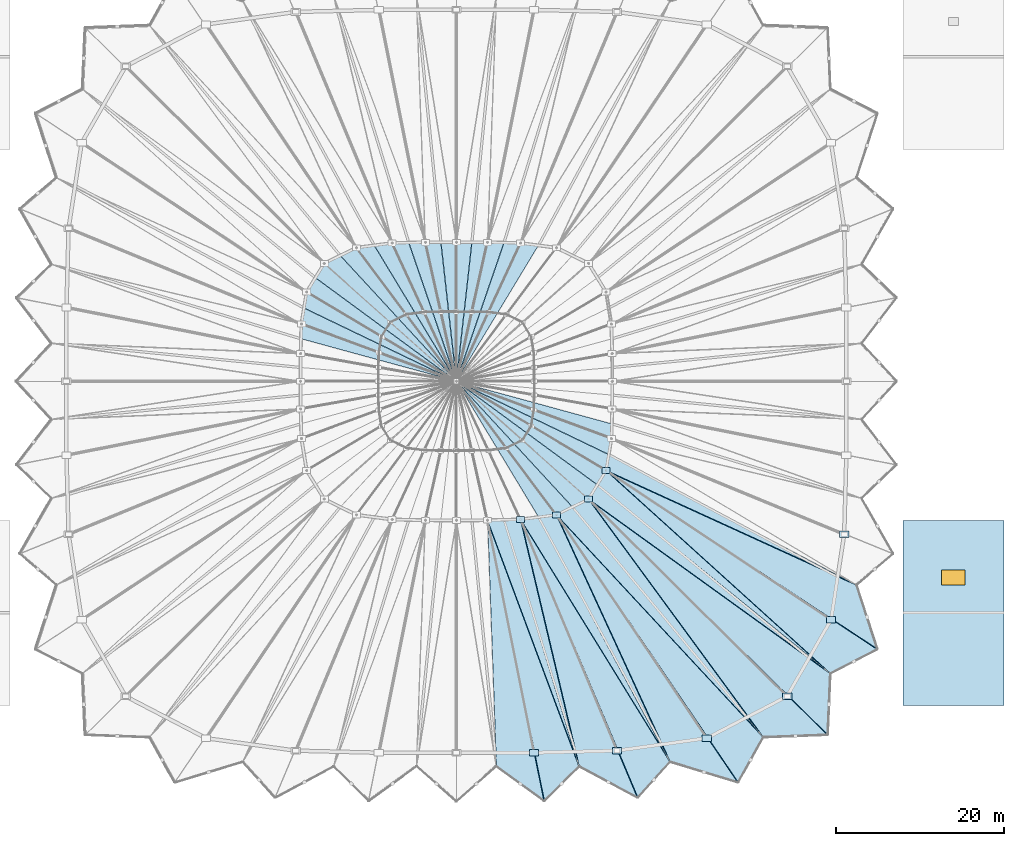
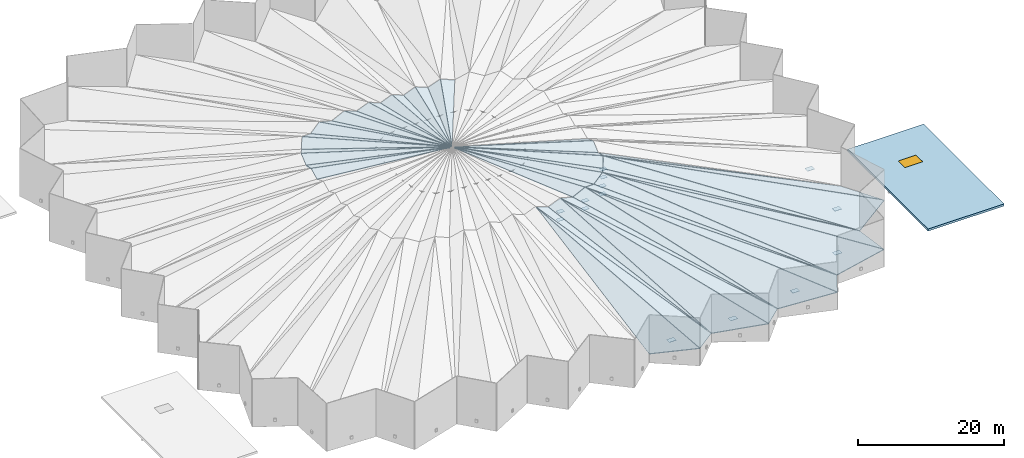
# One storey, part 30 of 41: 46 slabs, 14 plates, 1 window, 1 opening.
"""IFC4 building model written with IfcOpenShell, lengths in metres."""

from ifc_helpers import new_model, si_unit, direction, frame, origin, origin_2d, place, context, subcontext, project, spatial, polyline, rectangle, outline, extrude, material, layer, layer_set, type_object, element, fill, save


model = new_model("IFC4")

# Units and contexts
model_context = context("Model", 3, precision=1e-05, world=origin(), true_north=direction((0.0, 1.0)))
body_context = subcontext(model_context, "Body", "Model", "MODEL_VIEW")
ifc_project = project(units=[si_unit("LENGTHUNIT", "METRE"), si_unit("AREAUNIT", "SQUARE_METRE"), si_unit("VOLUMEUNIT", "CUBIC_METRE"), si_unit("PLANEANGLEUNIT", "RADIAN"), si_unit("MASSUNIT", "GRAM", prefix="KILO")], contexts=[model_context])

# Site, building, storey
site_placement = place(None, origin())
site = spatial("IfcSite", under=ifc_project, at=site_placement, CompositionType="ELEMENT")
building_placement = place(site_placement, origin())
building = spatial("IfcBuilding", under=site, at=building_placement, Name="Luwafu Chhajja Arena", CompositionType="ELEMENT")
storey_placement = place(building_placement, frame((0.0, 0.0, 29.699951171875)))
storey = spatial("IfcBuildingStorey", under=building, at=storey_placement, Name="RF", CompositionType="ELEMENT", Elevation=29.699951171875)

# Slabs
ifc_material_1 = material(Name="Precast concrete C40/50", Category="concrete")
ifc_layer_1 = layer(ifc_material_1, 0.14990234375, Name="Precast concrete C40/50")
ifc_layer_set_1 = layer_set([ifc_layer_1], Name="Precast concrete C40/50")
slab_type_1 = type_object("IfcSlabType", Name="Cable-Net Oculus Lightweight Roof Deck 150", PredefinedType="ROOF", material=ifc_layer_set_1)
slab_1_placement = place(storey_placement, frame((108.7216796875, 65.615478515625, 6.907470703125), z_axis=(0.322770200464, -0.075715794519, 0.943443965561), x_axis=(-0.514216053582, -0.850879739253, 0.107636051431)))
element("IfcSlab", 1, at=slab_1_placement, inside=storey, type_object=slab_type_1, Name="Cable-Net Oculus Roof Panel 06OB", PredefinedType="ROOF", context=body_context, shape_type="SweptSolid", body=[
    extrude(outline(polyline([(0.0, 0.0), (18.65371753526713, -6.661338147750939e-16), (0.9241918560442257, -2.037181419984506), (0.0, 0.0)])), origin(), (0.0, 0.0, -1.0), 0.14990234375),
])
slab_2_placement = place(storey_placement, frame((106.59521484375, 65.889892578125, 7.64501953125), z_axis=(-0.341597065853, 0.230294133254, 0.911194851165), x_axis=(-0.420134075553, -0.90466916484, 0.071141132593)))
element("IfcSlab", 2, at=slab_2_placement, inside=storey, type_object=slab_type_1, Name="Cable-Net Oculus Roof Panel 07OA", PredefinedType="ROOF", context=body_context, shape_type="SweptSolid", body=[
    extrude(outline(polyline([(0.0, 0.0), (17.821226896768845, -6.661338147750939e-16), (0.7202170115807652, -1.942640094566498), (0.0, 0.0)])), origin(), (0.0, 0.0, -1.0), 0.14990234375),
])
slab_3_placement = place(storey_placement, frame((104.6279296875, 65.935546875, 6.907958984375), z_axis=(0.35560875136, -0.006204393023, 0.934614316958), x_axis=(-0.322564030961, -0.939351485557, 0.116495633017)))
element("IfcSlab", 3, at=slab_3_placement, inside=storey, type_object=slab_type_1, Name="Cable-Net Oculus Roof Panel 07OB", PredefinedType="ROOF", context=body_context, shape_type="SweptSolid", body=[
    extrude(outline(polyline([(0.0, 0.0), (17.220418170770536, 6.661338147750939e-16), (0.6687349881593382, -1.9622492747723759), (0.0, 0.0)])), origin(), (0.0, 0.0, -1.0), 0.14990234375),
])
slab_4_placement = place(storey_placement, frame((102.66015625, 65.980712890625, 7.64501953125), z_axis=(-0.372907090144, 0.154707406568, 0.914880276579), x_axis=(-0.217049528514, -0.973189923, 0.076097805114)))
element("IfcSlab", 4, at=slab_4_placement, inside=storey, type_object=slab_type_1, Name="Cable-Net Oculus Roof Panel 08OA", PredefinedType="ROOF", context=body_context, shape_type="SweptSolid", body=[
    extrude(outline(polyline([(0.0, 0.0), (16.65401495454123, 3.3306690738754696e-16), (0.33406242105565936, -1.923086765370859), (0.0, 0.0)])), origin(), (0.0, 0.0, -1.0), 0.14990234375),
])
slab_5_placement = place(storey_placement, frame((100.822509765625, 65.98291015625, 6.907958984375), z_axis=(0.376767997162, 0.072191778105, 0.923490240061), x_axis=(-0.109978580481, -0.986420525744, 0.121980564953)))
element("IfcSlab", 5, at=slab_5_placement, inside=storey, type_object=slab_type_1, Name="Cable-Net Oculus Roof Panel 08OB", PredefinedType="ROOF", context=body_context, shape_type="SweptSolid", body=[
    extrude(outline(polyline([(0.0, 0.0), (16.436084004610596, -1.1102230246251565e-16), (0.2865685867458694, -1.9310570607368354), (0.0, 0.0)])), origin(), (0.0, 0.0, -1.0), 0.14990234375),
])
slab_6_placement = place(storey_placement, frame((98.985107421875, 65.985107421875, 7.645263671875), z_axis=(-0.376767997162, 0.072191778105, 0.923490240061), x_axis=(0.0, -0.996958443126, 0.077934990089)))
element("IfcSlab", 6, at=slab_6_placement, inside=storey, type_object=slab_type_1, Name="Cable-Net Oculus Roof Panel 09OA", PredefinedType="ROOF", context=body_context, shape_type="SweptSolid", body=[
    extrude(outline(polyline([(0.0, 0.0), (16.26455746719449, -5.551115123125783e-17), (-0.05527125099589944, -1.951422049569098), (0.0, 0.0)])), origin(), (0.0, 0.0, -1.0), 0.14990234375),
])
slab_7_placement = place(storey_placement, frame((97.147216796875, 65.98291015625, 6.907958984375), z_axis=(0.372907090144, 0.154707406568, 0.914880276579), x_axis=(0.109985254656, -0.986420502889, 0.121974731964)))
element("IfcSlab", 7, at=slab_7_placement, inside=storey, type_object=slab_type_1, Name="Cable-Net Oculus Roof Panel 09OB", PredefinedType="ROOF", context=body_context, shape_type="SweptSolid", body=[
    extrude(outline(polyline([(0.0, 0.0), (16.432866864986362, 0.0), (-0.10671419431027769, -1.9489670312857605), (0.0, 0.0)])), origin(), (0.0, 0.0, -1.0), 0.14990234375),
])
slab_8_placement = place(storey_placement, frame((95.30908203125, 65.980224609375, 7.645263671875), z_axis=(-0.35560875136, -0.006204393023, 0.934614316958), x_axis=(0.21704849036, -0.973188129268, 0.076123701201)))
element("IfcSlab", 8, at=slab_8_placement, inside=storey, type_object=slab_type_1, Name="Cable-Net Oculus Roof Panel 10OA", PredefinedType="ROOF", context=body_context, shape_type="SweptSolid", body=[
    extrude(outline(polyline([(0.0, 0.0), (16.667592459436936, -3.885780586188048e-16), (-0.4330719903526935, -2.027332570622083), (0.0, 0.0)])), origin(), (0.0, 0.0, -1.0), 0.14990234375),
])
slab_9_placement = place(storey_placement, frame((93.340576171875, 65.934814453125, 6.907958984375), z_axis=(0.341597065853, 0.230294133254, 0.911194851165), x_axis=(0.322556208407, -0.939355058574, 0.116488481615)))
element("IfcSlab", 9, at=slab_9_placement, inside=storey, type_object=slab_type_1, Name="Cable-Net Oculus Roof Panel 10OB", PredefinedType="ROOF", context=body_context, shape_type="SweptSolid", body=[
    extrude(outline(polyline([(0.0, 0.0), (17.210996183554215, 1.1102230246251565e-16), (-0.49634475578285997, -2.0115180745383605), (0.0, 0.0)])), origin(), (0.0, 0.0, -1.0), 0.14990234375),
])
slab_10_placement = place(storey_placement, frame((91.372314453125, 65.88818359375, 7.645751953125), z_axis=(-0.322770200464, -0.075715794519, 0.943443965561), x_axis=(0.42014853071, -0.904662743791, 0.071137417286)))
element("IfcSlab", 10, at=slab_10_placement, inside=storey, type_object=slab_type_1, Name="Cable-Net Oculus Roof Panel 11OA", PredefinedType="ROOF", context=body_context, shape_type="SweptSolid", body=[
    extrude(outline(polyline([(0.0, 0.0), (17.846181354792808, -8.881784197001252e-16), (-0.6856018586322798, -2.129363476757437), (0.0, 0.0)])), origin(), (0.0, 0.0, -1.0), 0.14990234375),
])
slab_11_placement = place(storey_placement, frame((89.24560546875, 65.611083984375, 6.907470703125), z_axis=(0.284869479915, 0.287824835594, 0.914333770255), x_axis=(0.514229616808, -0.850871760377, 0.107634328127)))
element("IfcSlab", 11, at=slab_11_placement, inside=storey, type_object=slab_type_1, Name="Cable-Net Oculus Roof Panel 11OB", PredefinedType="ROOF", context=body_context, shape_type="SweptSolid", body=[
    extrude(outline(polyline([(0.0, 0.0), (18.640406747197396, -1.1102230246251565e-15), (-0.7645916381146443, -2.100662992861408), (0.0, 0.0)])), origin(), (0.0, 0.0, -1.0), 0.14990234375),
])
slab_12_placement = place(storey_placement, frame((87.12109375, 65.3310546875, 7.645751953125), z_axis=(-0.299148482284, -0.147394003246, 0.942754047116), x_axis=(0.598307668847, -0.798626423541, 0.064990530243)))
element("IfcSlab", 12, at=slab_12_placement, inside=storey, type_object=slab_type_1, Name="Cable-Net Oculus Roof Panel 12OA", PredefinedType="ROOF", context=body_context, shape_type="SweptSolid", body=[
    extrude(outline(polyline([(0.0, 0.0), (19.54160900825936, 2.7755575615628914e-16), (-0.4391950865166808, -2.170568811857084), (0.0, 0.0)])), origin(), (0.0, 0.0, -1.0), 0.14990234375),
])
slab_13_placement = place(storey_placement, frame((85.216796875, 64.401611328125, 6.9072265625), z_axis=(0.208261169996, 0.318775201548, 0.92466732177), x_axis=(0.675078853863, -0.730944515271, 0.099943267222)))
element("IfcSlab", 13, at=slab_13_placement, inside=storey, type_object=slab_type_1, Name="Cable-Net Oculus Roof Panel 12OB", PredefinedType="ROOF", context=body_context, shape_type="SweptSolid", body=[
    extrude(outline(polyline([(0.0, 0.0), (20.089522344164426, 1.1102230246251565e-16), (-0.5231409488031608, -2.150969300747908), (0.0, 0.0)])), origin(), (0.0, 0.0, -1.0), 0.14990234375),
])
slab_14_placement = place(storey_placement, frame((83.31787109375, 63.466796875, 7.645263671875), z_axis=(-0.285713376686, -0.234659713715, 0.929140831705), x_axis=(0.744886950612, -0.664372005251, 0.061263932672)))
element("IfcSlab", 14, at=slab_14_placement, inside=storey, type_object=slab_type_1, Name="Cable-Net Oculus Roof Panel 13OA", PredefinedType="ROOF", context=body_context, shape_type="SweptSolid", body=[
    extrude(outline(polyline([(0.0, 0.0), (20.722327063100387, 2.1094237467877974e-15), (0.3014909665848489, -2.0748125609727577), (0.0, 0.0)])), origin(), (0.0, 0.0, -1.0), 0.14990234375),
])
slab_15_placement = place(storey_placement, frame((82.27587890625, 61.7685546875, 6.9072265625), z_axis=(0.130190017931, 0.332259951971, 0.934159452956), x_axis=(0.802015427238, -0.589241163722, 0.097806469351)))
element("IfcSlab", 15, at=slab_15_placement, inside=storey, type_object=slab_type_1, Name="Cable-Net Oculus Roof Panel 13OB", PredefinedType="ROOF", context=body_context, shape_type="SweptSolid", body=[
    extrude(outline(polyline([(0.0, 0.0), (20.528422233495846, 1.2212453270876722e-15), (0.23473548695399332, -2.083617042480318), (0.0, 0.0)])), origin(), (0.0, 0.0, -1.0), 0.14990234375),
])
slab_16_placement = place(storey_placement, frame((81.239990234375, 60.06640625, 7.644775390625), z_axis=(-0.256169574434, -0.318708073796, 0.912580030919), x_axis=(0.85736167579, -0.510938752967, 0.062229796744)))
element("IfcSlab", 16, at=slab_16_placement, inside=storey, type_object=slab_type_1, Name="Cable-Net Oculus Roof Panel 14OA", PredefinedType="ROOF", context=body_context, shape_type="SweptSolid", body=[
    extrude(outline(polyline([(0.0, 0.0), (20.369311669323118, 1.2212453270876722e-15), (0.6451733205890816, -1.9231431405779396), (0.0, 0.0)])), origin(), (0.0, 0.0, -1.0), 0.14990234375),
])
slab_17_placement = place(storey_placement, frame((80.9296875, 58.170654296875, 6.90771484375), z_axis=(0.066617737869, 0.357203291346, 0.93164794083), x_axis=(0.896635114101, -0.431059655349, 0.101158517645)))
element("IfcSlab", 17, at=slab_17_placement, inside=storey, type_object=slab_type_1, Name="Cable-Net Oculus Roof Panel 14OB", PredefinedType="ROOF", context=body_context, shape_type="SweptSolid", body=[
    extrude(outline(polyline([(0.0, 0.0), (19.826459314169643, 3.3306690738754696e-16), (0.6046396169799972, -1.9373799450719182), (0.0, 0.0)])), origin(), (0.0, 0.0, -1.0), 0.14990234375),
])
slab_18_placement = place(storey_placement, frame((80.62158203125, 56.273681640625, 7.644287109375), z_axis=(-0.203476377607, -0.379405244912, 0.902579095641), x_axis=(0.936008530248, -0.345800056856, 0.065653270908)))
element("IfcSlab", 18, at=slab_18_placement, inside=storey, type_object=slab_type_1, Name="Cable-Net Oculus Roof Panel 15OA", PredefinedType="ROOF", context=body_context, shape_type="SweptSolid", body=[
    extrude(outline(polyline([(0.0, 0.0), (19.284846950289136, -1.1102230246251565e-16), (0.500800203247052, -1.8072469994719789), (0.0, 0.0)])), origin(), (0.0, 0.0, -1.0), 0.14990234375),
])
slab_19_placement = place(storey_placement, frame((108.75439453125, 33.388916015625, 6.907470703125), z_axis=(-0.284869479915, -0.287824835594, 0.914333770255), x_axis=(-0.514229616808, 0.850871760377, 0.107634328127)))
element("IfcSlab", 19, at=slab_19_placement, inside=storey, type_object=slab_type_1, Name="Cable-Net Oculus Roof Panel 27OB", PredefinedType="ROOF", context=body_context, shape_type="SweptSolid", body=[
    extrude(outline(polyline([(0.0, 0.0), (18.640406747197396, -1.1102230246251565e-15), (-0.7645916381146443, -2.100662992861408), (0.0, 0.0)])), origin(), (0.0, 0.0, -1.0), 0.14990234375),
])
slab_20_placement = place(storey_placement, frame((110.87890625, 33.6689453125, 7.645751953125), z_axis=(0.299148482284, 0.147394003246, 0.942754047116), x_axis=(-0.598307668847, 0.798626423541, 0.064990530243)))
element("IfcSlab", 20, at=slab_20_placement, inside=storey, type_object=slab_type_1, Name="Cable-Net Oculus Roof Panel 28OA", PredefinedType="ROOF", context=body_context, shape_type="SweptSolid", body=[
    extrude(outline(polyline([(0.0, 0.0), (19.54160900825936, 2.7755575615628914e-16), (-0.4391950865166808, -2.170568811857084), (0.0, 0.0)])), origin(), (0.0, 0.0, -1.0), 0.14990234375),
])
slab_21_placement = place(storey_placement, frame((112.783203125, 34.598388671875, 6.9072265625), z_axis=(-0.208261169996, -0.318775201548, 0.92466732177), x_axis=(-0.675078853863, 0.730944515271, 0.099943267222)))
element("IfcSlab", 21, at=slab_21_placement, inside=storey, type_object=slab_type_1, Name="Cable-Net Oculus Roof Panel 28OB", PredefinedType="ROOF", context=body_context, shape_type="SweptSolid", body=[
    extrude(outline(polyline([(0.0, 0.0), (20.089522344164426, 1.1102230246251565e-16), (-0.5231409488031608, -2.150969300747908), (0.0, 0.0)])), origin(), (0.0, 0.0, -1.0), 0.14990234375),
])
slab_22_placement = place(storey_placement, frame((114.68212890625, 35.533203125, 7.645263671875), z_axis=(0.285713376686, 0.234659713715, 0.929140831705), x_axis=(-0.744886950612, 0.664372005251, 0.061263932672)))
element("IfcSlab", 22, at=slab_22_placement, inside=storey, type_object=slab_type_1, Name="Cable-Net Oculus Roof Panel 29OA", PredefinedType="ROOF", context=body_context, shape_type="SweptSolid", body=[
    extrude(outline(polyline([(0.0, 0.0), (20.722327063100387, 2.1094237467877974e-15), (0.3014909665848489, -2.0748125609727577), (0.0, 0.0)])), origin(), (0.0, 0.0, -1.0), 0.14990234375),
])
slab_23_placement = place(storey_placement, frame((115.72412109375, 37.2314453125, 6.9072265625), z_axis=(-0.130190017931, -0.332259951971, 0.934159452956), x_axis=(-0.802015427238, 0.589241163722, 0.097806469351)))
element("IfcSlab", 23, at=slab_23_placement, inside=storey, type_object=slab_type_1, Name="Cable-Net Oculus Roof Panel 29OB", PredefinedType="ROOF", context=body_context, shape_type="SweptSolid", body=[
    extrude(outline(polyline([(0.0, 0.0), (20.528422233495846, 1.2212453270876722e-15), (0.23473548695399332, -2.083617042480318), (0.0, 0.0)])), origin(), (0.0, 0.0, -1.0), 0.14990234375),
])
slab_24_placement = place(storey_placement, frame((116.760009765625, 38.93359375, 7.644775390625), z_axis=(0.256169574434, 0.318708073796, 0.912580030919), x_axis=(-0.85736167579, 0.510938752967, 0.062229796744)))
element("IfcSlab", 24, at=slab_24_placement, inside=storey, type_object=slab_type_1, Name="Cable-Net Oculus Roof Panel 30OA", PredefinedType="ROOF", context=body_context, shape_type="SweptSolid", body=[
    extrude(outline(polyline([(0.0, 0.0), (20.369311669323118, 1.2212453270876722e-15), (0.6451733205890816, -1.9231431405779396), (0.0, 0.0)])), origin(), (0.0, 0.0, -1.0), 0.14990234375),
])
slab_25_placement = place(storey_placement, frame((117.0703125, 40.829345703125, 6.90771484375), z_axis=(-0.066617737869, -0.357203291346, 0.93164794083), x_axis=(-0.896635114101, 0.431059655349, 0.101158517645)))
element("IfcSlab", 25, at=slab_25_placement, inside=storey, type_object=slab_type_1, Name="Cable-Net Oculus Roof Panel 30OB", PredefinedType="ROOF", context=body_context, shape_type="SweptSolid", body=[
    extrude(outline(polyline([(0.0, 0.0), (19.826459314169643, 3.3306690738754696e-16), (0.6046396169799972, -1.9373799450719182), (0.0, 0.0)])), origin(), (0.0, 0.0, -1.0), 0.14990234375),
])
slab_26_placement = place(storey_placement, frame((117.37841796875, 42.726318359375, 7.644287109375), z_axis=(0.203476377607, 0.379405244912, 0.902579095641), x_axis=(-0.936008530248, 0.345800056856, 0.065653270908)))
element("IfcSlab", 26, at=slab_26_placement, inside=storey, type_object=slab_type_1, Name="Cable-Net Oculus Roof Panel 31OA", PredefinedType="ROOF", context=body_context, shape_type="SweptSolid", body=[
    extrude(outline(polyline([(0.0, 0.0), (19.284846950289136, -1.1102230246251565e-16), (0.500800203247052, -1.8072469994719789), (0.0, 0.0)])), origin(), (0.0, 0.0, -1.0), 0.14990234375),
])

# Slab, opening, window
ifc_material_2 = material(Name="Concrete C35/45", Category="concrete")
ifc_layer_2 = layer(ifc_material_2, 0.360107421875, Name="Concrete C35/45")
ifc_layer_set_2 = layer_set([ifc_layer_2], Name="Concrete C35/45")
slab_type_2 = type_object("IfcSlabType", Name="Core Overrun Structural Roof Cap 360", PredefinedType="ROOF", material=ifc_layer_set_2)
slab_27_placement = place(storey_placement, frame((0.0, 0.0, -0.35986328125)))
slab_27 = element("IfcSlab", 27, at=slab_27_placement, inside=storey, type_object=slab_type_2, Name="RF Core C2 Roof Slab", PredefinedType="ROOF", context=body_context, shape_type="SweptSolid", body=[
    extrude(outline(polyline([(152.0, 11.0), (164.0, 11.0), (164.0, 33.0), (152.0, 33.0), (152.0, 11.0)])), origin(), (0.0, 0.0, 1.0), 0.35986328125),
])
opening_placement = place(slab_27_placement, frame((158.0, 26.199951171875, -0.010009765625)))
opening = element("IfcOpeningElement", 28, at=opening_placement, cuts=slab_27, Name="Opening SK-02", PredefinedType="OPENING", context=body_context, shape_type="SweptSolid", body=[
    extrude(rectangle(XDim=2.800048828125, YDim=1.800048828125, at=origin_2d()), origin(), (0.0, 0.0, 1.0), 0.3798828125),
])
ifc_material_3 = material(Name="Solar-control laminated glass", Category="glass")
window_type = type_object("IfcWindowType", Name="Quadrant Core Ridge Skylight 2800x1800", PartitioningType="SINGLE_PANEL", PredefinedType="SKYLIGHT", material=ifc_material_3)
window_placement = place(opening_placement, frame((0.0, 0.0, 0.31982421875)))
window = element("IfcWindow", 29, at=window_placement, inside=storey, type_object=window_type, Name="RF Roof Skylight and Access Hatch 06", OverallHeight=1.800048828125, OverallWidth=2.800048828125, PartitioningType="SINGLE_PANEL", PredefinedType="SKYLIGHT", context=body_context, shape_type="SweptSolid", body=[
    extrude(rectangle(XDim=2.800048828125, YDim=1.800048828125, at=origin_2d()), origin(), (0.0, 0.0, 1.0), 0.050048828125),
])
fill(opening, window)

# Plates
ifc_material_4 = material(Name="Steel S355", Category="steel")
ifc_layer_3 = layer(ifc_material_4, 0.030029296875, Name="Steel S355")
ifc_layer_set_3 = layer_set([ifc_layer_3], Name="Steel S355")
plate_type_1 = type_object("IfcPlateType", Name="Inner Tension Ring Node Plate RN-2", PredefinedType="USERDEFINED", material=ifc_layer_set_3)
for number, where, z_axis, x_axis, name in (
    (30, (106.61865234375, 33.095458984375, 5.43505859375), (0.0, 0.0, 1.0), (1.0, 0.0, 0.0), "Inner Ring Upper Node Plate RN-2 27"),
    (31, (106.61865234375, 33.095458984375, 4.0849609375), (0.0, 0.0, 1.0), (1.0, 0.0, 0.0), "Inner Ring Lower Node Plate RN-2 27"),
    (32, (110.874267578125, 33.64990234375, 5.43505859375), (0.0, 0.0, 1.0), (1.0, 0.0, 0.0), "Inner Ring Upper Node Plate RN-2 28"),
    (33, (110.874267578125, 33.64990234375, 4.0849609375), (0.0, 0.0, 1.0), (1.0, 0.0, 0.0), "Inner Ring Lower Node Plate RN-2 28"),
    (34, (114.685546875, 35.51025390625, 5.43505859375), (0.0, 0.0, 1.0), (1.0, 0.0, 0.0), "Inner Ring Upper Node Plate RN-2 29"),
    (35, (114.685546875, 35.51025390625, 4.0849609375), (0.0, 0.0, 1.0), (1.0, 0.0, 0.0), "Inner Ring Lower Node Plate RN-2 29"),
    (36, (116.771240234375, 38.909423828125, 5.43505859375), (0.0, 0.0, 1.0), (1.0, 0.0, 0.0), "Inner Ring Upper Node Plate RN-2 30"),
    (37, (116.771240234375, 38.909423828125, 4.0849609375), (0.0, 0.0, 1.0), (1.0, 0.0, 0.0), "Inner Ring Lower Node Plate RN-2 30"),
):
    element("IfcPlate", number, at=place(storey_placement, frame(where, z_axis=z_axis, x_axis=x_axis)), inside=storey, type_object=plate_type_1, Name=name, ObjectType="GUSSET PLATE", PredefinedType="USERDEFINED", context=body_context, shape_type="SweptSolid", body=[
        extrude(rectangle(XDim=0.949951171875, YDim=0.699951171875, at=origin_2d()), origin(), (0.0, 0.0, 1.0), 0.030029296875),
    ])
ifc_layer_4 = layer(ifc_material_4, 0.031982421875, Name="Steel S355")
ifc_layer_set_4 = layer_set([ifc_layer_4], Name="Steel S355")
plate_type_2 = type_object("IfcPlateType", Name="Ring Beam Kink Node Gusset Plate RN-1", PredefinedType="USERDEFINED", material=ifc_layer_set_4)
for number, where, z_axis, x_axis, name in (
    (38, (108.207275390625, 5.411865234375, 0.1640625), (0.0, 0.0, 1.0), (1.0, 0.0, 0.0), "Outer Ring Node Gusset Plate RN-1 26"),
    (39, (118.067138671875, 5.6552734375, 0.1640625), (0.0, 0.0, 1.0), (1.0, 0.0, 0.0), "Outer Ring Node Gusset Plate RN-1 27"),
    (40, (128.718017578125, 7.13720703125, 0.1640625), (0.0, 0.0, 1.0), (1.0, 0.0, 0.0), "Outer Ring Node Gusset Plate RN-1 28"),
    (41, (138.256103515625, 12.109130859375, 0.1640625), (0.0, 0.0, 1.0), (1.0, 0.0, 0.0), "Outer Ring Node Gusset Plate RN-1 29"),
    (42, (143.47607421875, 21.194091796875, 0.1640625), (0.0, 0.0, 1.0), (1.0, 0.0, 0.0), "Outer Ring Node Gusset Plate RN-1 30"),
    (43, (145.031982421875, 31.3388671875, 0.1640625), (0.0, 0.0, 1.0), (1.0, 0.0, 0.0), "Outer Ring Node Gusset Plate RN-1 31"),
):
    element("IfcPlate", number, at=place(storey_placement, frame(where, z_axis=z_axis, x_axis=x_axis)), inside=storey, type_object=plate_type_2, Name=name, ObjectType="GUSSET PLATE", PredefinedType="USERDEFINED", context=body_context, shape_type="SweptSolid", body=[
        extrude(rectangle(XDim=1.10009765625, YDim=0.800048828125, at=origin_2d()), origin(), (0.0, 0.0, 1.0), 0.031982421875),
    ])

# Slabs
ifc_layer_5 = layer(ifc_material_1, 0.179931640625, Name="Precast concrete C40/50")
ifc_layer_set_5 = layer_set([ifc_layer_5], Name="Precast concrete C40/50")
slab_type_3 = type_object("IfcSlabType", Name="White Folded Bowl Roof Panel 180", PredefinedType="ROOF", material=ifc_layer_set_5)
slab_28_placement = place(storey_placement, frame((103.753662109375, 3.80322265625, 0.4150390625), z_axis=(-0.396862493762, -0.234480736709, 0.887422641788), x_axis=(-0.03483506449, 0.969970851947, 0.240713656975)))
element("IfcSlab", 44, at=slab_28_placement, inside=storey, type_object=slab_type_3, Name="White Folded Bowl Roof Panel 25B1", PredefinedType="ROOF", context=body_context, shape_type="SweptSolid", body=[
    extrude(outline(polyline([(0.0, 0.0), (29.779003737077634, 0.0), (-3.8136780097683562, -5.981987157178616), (0.0, 0.0)])), origin(), (0.0, 0.0, -1.0), 0.179931640625),
])
slab_29_placement = place(storey_placement, frame((109.427978515625, -0.290283203125, 1.84765625), z_axis=(0.397249056628, -0.078819726018, 0.914319767805), x_axis=(-0.195098209481, 0.96627696359, 0.168064030337)))
element("IfcSlab", 45, at=slab_29_placement, inside=storey, type_object=slab_type_3, Name="White Folded Bowl Roof Panel 26A1", PredefinedType="ROOF", context=body_context, shape_type="SweptSolid", body=[
    extrude(outline(polyline([(0.0, 0.0), (34.12744352042608, -4.440892098500626e-16), (2.893598246626664, -5.211066001346057), (0.0, 0.0)])), origin(), (0.0, 0.0, -1.0), 0.179931640625),
])
slab_30_placement = place(storey_placement, frame((113.292724609375, 4.585693359375, 0.590087890625), z_axis=(0.356061863324, -0.097882733264, 0.929321752686), x_axis=(-0.340005905757, 0.912762264889, 0.226408992412)))
element("IfcSlab", 46, at=slab_30_placement, inside=storey, type_object=slab_type_3, Name="White Folded Bowl Roof Panel 26A2", PredefinedType="ROOF", context=body_context, shape_type="SweptSolid", body=[
    extrude(outline(polyline([(0.0, 0.0), (31.10728365939939, 0.0), (30.33204910062621, -1.8956437938560746), (0.0, 0.0)])), origin(), (0.0, 0.0, -1.0), 0.179931640625),
])
slab_31_placement = place(storey_placement, frame((113.589111328125, 3.7939453125, 0.414794921875), z_axis=(-0.347317372718, -0.301849383018, 0.887838719915), x_axis=(-0.224190537623, 0.946050461291, 0.233938298557)))
element("IfcSlab", 47, at=slab_31_placement, inside=storey, type_object=slab_type_3, Name="White Folded Bowl Roof Panel 26B1", PredefinedType="ROOF", context=body_context, shape_type="SweptSolid", body=[
    extrude(outline(polyline([(0.0, 0.0), (30.6560785627092, -4.440892098500626e-16), (-4.69098959137113, -6.389194904146063), (0.0, 0.0)])), origin(), (0.0, 0.0, -1.0), 0.179931640625),
])
slab_32_placement = place(storey_placement, frame((113.35107421875, 4.572998046875, 0.587158203125), z_axis=(-0.333365663737, -0.300012424469, 0.893789616971), x_axis=(-0.285057198888, 0.935721814094, 0.207766888581)))
element("IfcSlab", 48, at=slab_32_placement, inside=storey, type_object=slab_type_3, Name="White Folded Bowl Roof Panel 26B2", PredefinedType="ROOF", context=body_context, shape_type="SweptSolid", body=[
    extrude(outline(polyline([(0.0, 0.0), (30.40610973016076, 4.440892098500626e-16), (30.0533936036452, -2.018543303390378), (0.0, 0.0)])), origin(), (0.0, 0.0, -1.0), 0.179931640625),
])
slab_33_placement = place(storey_placement, frame((120.51904296875, 0.098876953125, 1.847412109375), z_axis=(0.362853034835, -0.011005076262, 0.931781392499), x_axis=(-0.382582014619, 0.910009083952, 0.159732492668)))
element("IfcSlab", 49, at=slab_33_placement, inside=storey, type_object=slab_type_3, Name="White Folded Bowl Roof Panel 27A1", PredefinedType="ROOF", context=body_context, shape_type="SweptSolid", body=[
    extrude(outline(polyline([(0.0, 0.0), (35.93043416925623, -2.220446049250313e-16), (2.152653424192668, -5.456202463950162), (0.0, 0.0)])), origin(), (0.0, 0.0, -1.0), 0.179931640625),
])
slab_34_placement = place(storey_placement, frame((123.926513671875, 5.0751953125, 0.58056640625), z_axis=(0.33576642747, -0.030132052965, 0.941463204575), x_axis=(-0.513182431465, 0.832277752099, 0.209660524174)))
element("IfcSlab", 50, at=slab_34_placement, inside=storey, type_object=slab_type_3, Name="White Folded Bowl Roof Panel 27A2", PredefinedType="ROOF", context=body_context, shape_type="SweptSolid", body=[
    extrude(outline(polyline([(0.0, 0.0), (33.64232167537927, -2.6645352591003757e-15), (32.65120163454407, -1.9771285025569334), (0.0, 0.0)])), origin(), (0.0, 0.0, -1.0), 0.179931640625),
])
slab_35_placement = place(storey_placement, frame((124.3828125, 4.337646484375, 0.413818359375), z_axis=(-0.266749573474, -0.345079291751, 0.899869405778), x_axis=(-0.407659676111, 0.886460050051, 0.219093971021)))
element("IfcSlab", 51, at=slab_35_placement, inside=storey, type_object=slab_type_3, Name="White Folded Bowl Roof Panel 27B1", PredefinedType="ROOF", context=body_context, shape_type="SweptSolid", body=[
    extrude(outline(polyline([(0.0, 0.0), (32.756528073618824, 1.7763568394002505e-15), (-5.0911029816243705, -6.763397952542731), (0.0, 0.0)])), origin(), (0.0, 0.0, -1.0), 0.179931640625),
])
slab_36_placement = place(storey_placement, frame((123.990966796875, 5.065185546875, 0.57666015625), z_axis=(-0.271378429776, -0.346709568845, 0.897856459978), x_axis=(-0.464501208281, 0.864213620353, 0.193322129881)))
element("IfcSlab", 52, at=slab_36_placement, inside=storey, type_object=slab_type_3, Name="White Folded Bowl Roof Panel 27B2", PredefinedType="ROOF", context=body_context, shape_type="SweptSolid", body=[
    extrude(outline(polyline([(0.0, 0.0), (32.73105216994494, 0.0), (32.14324804150462, -2.133244343375694), (0.0, 0.0)])), origin(), (0.0, 0.0, -1.0), 0.179931640625),
])
slab_37_placement = place(storey_placement, frame((132.42529296875, 1.91357421875, 1.84765625), z_axis=(0.343010084637, 0.061560021755, 0.937312352185), x_axis=(-0.554926655222, 0.81838745737, 0.149326410741)))
element("IfcSlab", 53, at=slab_37_placement, inside=storey, type_object=slab_type_3, Name="White Folded Bowl Roof Panel 28A1", PredefinedType="ROOF", context=body_context, shape_type="SweptSolid", body=[
    extrude(outline(polyline([(0.0, 0.0), (38.45393103274426, -2.220446049250313e-15), (2.4916375877835235, -5.741484715801145), (0.0, 0.0)])), origin(), (0.0, 0.0, -1.0), 0.179931640625),
])
slab_38_placement = place(storey_placement, frame((134.825927734375, 7.92041015625, 0.574951171875), z_axis=(0.340571261078, 0.059004634398, 0.938365424154), x_axis=(-0.667467041775, 0.71808085013, 0.19709804875)))
element("IfcSlab", 54, at=slab_38_placement, inside=storey, type_object=slab_type_3, Name="White Folded Bowl Roof Panel 28A2", PredefinedType="ROOF", context=body_context, shape_type="SweptSolid", body=[
    extrude(outline(polyline([(0.0, 0.0), (35.82003291529512, -3.552713678800501e-15), (35.08784190152387, -2.064353539891833), (0.0, 0.0)])), origin(), (0.0, 0.0, -1.0), 0.179931640625),
])
slab_39_placement = place(storey_placement, frame((135.438720703125, 7.263427734375, 0.412353515625), z_axis=(-0.161137255306, -0.354404275821, 0.921103899803), x_axis=(-0.579235183841, 0.789612675582, 0.20248067651)))
element("IfcSlab", 55, at=slab_39_placement, inside=storey, type_object=slab_type_3, Name="White Folded Bowl Roof Panel 28B1", PredefinedType="ROOF", context=body_context, shape_type="SweptSolid", body=[
    extrude(outline(polyline([(0.0, 0.0), (35.461042036334, 1.7763568394002505e-15), (-3.8776079155419128, -6.679837412735317), (0.0, 0.0)])), origin(), (0.0, 0.0, -1.0), 0.179931640625),
])
slab_40_placement = place(storey_placement, frame((134.882080078125, 7.934326171875, 0.572509765625), z_axis=(-0.180447652785, -0.366431112865, 0.912779756638), x_axis=(-0.627425116376, 0.757566425291, 0.180085631331)))
element("IfcSlab", 56, at=slab_40_placement, inside=storey, type_object=slab_type_3, Name="White Folded Bowl Roof Panel 28B2", PredefinedType="ROOF", context=body_context, shape_type="SweptSolid", body=[
    extrude(outline(polyline([(0.0, 0.0), (35.161224153217546, -2.220446049250313e-15), (34.8143942493865, -2.1635355698160272), (0.0, 0.0)])), origin(), (0.0, 0.0, -1.0), 0.179931640625),
])
slab_41_placement = place(storey_placement, frame((143.060302734375, 7.58349609375, 1.84814453125), z_axis=(0.353421468747, 0.167903699756, 0.920272575402), x_axis=(-0.704833888288, 0.694612783978, 0.143952319384)))
element("IfcSlab", 57, at=slab_41_placement, inside=storey, type_object=slab_type_3, Name="White Folded Bowl Roof Panel 29A1", PredefinedType="ROOF", context=body_context, shape_type="SweptSolid", body=[
    extrude(outline(polyline([(0.0, 0.0), (39.88951011411651, 1.3322676295501878e-15), (4.577811015145916, -5.756817598782042), (0.0, 0.0)])), origin(), (0.0, 0.0, -1.0), 0.179931640625),
])
slab_42_placement = place(storey_placement, frame((142.66162109375, 15.368408203125, 0.580322265625), z_axis=(0.361806712536, 0.18157973858, 0.914398546205), x_axis=(-0.794617625717, 0.573002569139, 0.200626231238)))
element("IfcSlab", 58, at=slab_42_placement, inside=storey, type_object=slab_type_3, Name="White Folded Bowl Roof Panel 29A2", PredefinedType="ROOF", context=body_context, shape_type="SweptSolid", body=[
    extrude(outline(polyline([(0.0, 0.0), (35.16333560408419, 1.7763568394002505e-15), (35.158067416056674, -2.0731458079078604), (0.0, 0.0)])), origin(), (0.0, 0.0, -1.0), 0.179931640625),
])
slab_43_placement = place(storey_placement, frame((143.405029296875, 14.834716796875, 0.412109375), z_axis=(-0.06185715669, -0.349501243719, 0.934891743896), x_axis=(-0.726707097808, 0.65784040794, 0.197845373151)))
element("IfcSlab", 59, at=slab_43_placement, inside=storey, type_object=slab_type_3, Name="White Folded Bowl Roof Panel 29B1", PredefinedType="ROOF", context=body_context, shape_type="SweptSolid", body=[
    extrude(outline(polyline([(0.0, 0.0), (36.280749968106676, 8.881784197001252e-16), (-1.8590390055788875, -6.119744975137139), (0.0, 0.0)])), origin(), (0.0, 0.0, -1.0), 0.179931640625),
])
slab_44_placement = place(storey_placement, frame((142.68359375, 15.41748046875, 0.58154296875), z_axis=(-0.075959972314, -0.363196340419, 0.928611060085), x_axis=(-0.764542564454, 0.619051436644, 0.17958281078)))
element("IfcSlab", 60, at=slab_44_placement, inside=storey, type_object=slab_type_3, Name="White Folded Bowl Roof Panel 29B2", PredefinedType="ROOF", context=body_context, shape_type="SweptSolid", body=[
    extrude(outline(polyline([(0.0, 0.0), (35.2120912945584, 5.773159728050814e-15), (35.5910389273561, -2.0378176200391755), (0.0, 0.0)])), origin(), (0.0, 0.0, -1.0), 0.179931640625),
])
slab_45_placement = place(storey_placement, frame((148.9462890625, 17.754638671875, 1.8486328125), z_axis=(0.347395801281, 0.283216121424, 0.89392661098), x_axis=(-0.825919912879, 0.543832604017, 0.148668746945)))
element("IfcSlab", 61, at=slab_45_placement, inside=storey, type_object=slab_type_3, Name="White Folded Bowl Roof Panel 30A1", PredefinedType="ROOF", context=body_context, shape_type="SweptSolid", body=[
    extrude(outline(polyline([(0.0, 0.0), (38.59776427747351, 2.6645352591003757e-15), (5.926613073450253, -5.475910037745562), (0.0, 0.0)])), origin(), (0.0, 0.0, -1.0), 0.179931640625),
])
slab_46_placement = place(storey_placement, frame((145.668212890625, 25.733154296875, 0.594482421875), z_axis=(0.351075622232, 0.293896982713, 0.889027823539), x_axis=(-0.887961663394, 0.405764627027, 0.216515938897)))
element("IfcSlab", 62, at=slab_46_placement, inside=storey, type_object=slab_type_3, Name="White Folded Bowl Roof Panel 30A2", PredefinedType="ROOF", context=body_context, shape_type="SweptSolid", body=[
    extrude(outline(polyline([(0.0, 0.0), (32.51059730682904, 0.0), (32.832598766420354, -1.9780461072033413), (0.0, 0.0)])), origin(), (0.0, 0.0, -1.0), 0.179931640625),
])

save(model, "model.ifc")
